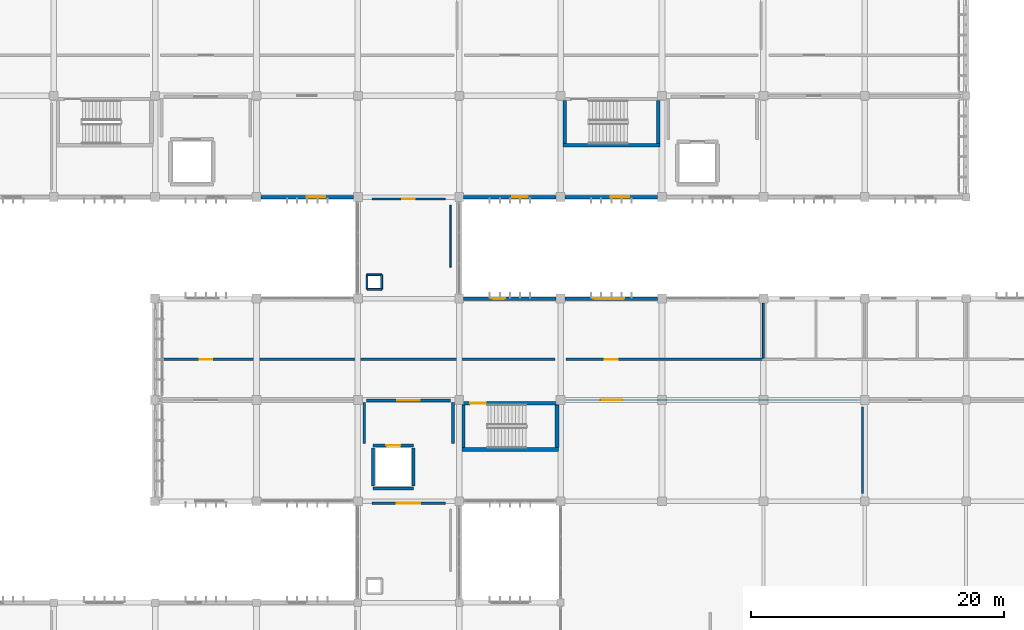
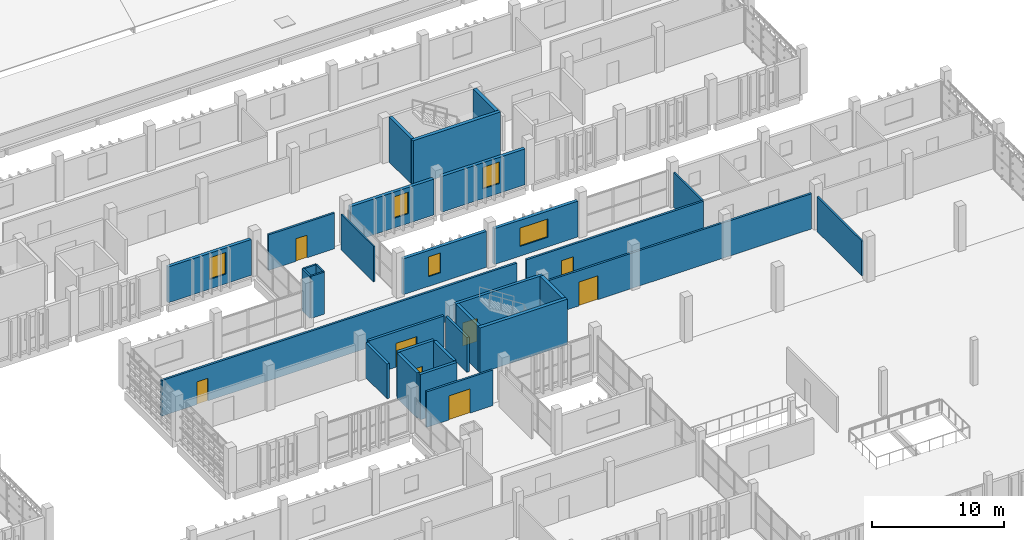
# One storey, part 119 of 137: 31 walls, 8 doors, 5 windows, 13 openings.
"""IFC4 building model written with IfcOpenShell, lengths in metres."""

from ifc_helpers import new_model, si_unit, direction, frame, frame_2d, origin, place, context, subcontext, project, spatial, rectangle, extrude, material, layer, layer_set, type_object, element, fill, save


model = new_model("IFC4")

# Units and contexts
model_context = context("Model", 3, precision=1e-05, world=origin(), true_north=direction((0.0, 1.0)))
body_context = subcontext(model_context, "Body", "Model", "MODEL_VIEW")
ifc_project = project(units=[si_unit("LENGTHUNIT", "METRE"), si_unit("AREAUNIT", "SQUARE_METRE"), si_unit("VOLUMEUNIT", "CUBIC_METRE"), si_unit("PLANEANGLEUNIT", "RADIAN"), si_unit("MASSUNIT", "GRAM", prefix="KILO")], contexts=[model_context])

# Site, building, storey
site_placement = place(None, origin())
site = spatial("IfcSite", under=ifc_project, at=site_placement, CompositionType="ELEMENT")
building_placement = place(site_placement, origin())
building = spatial("IfcBuilding", under=site, at=building_placement, Name="Jelvoka-Kovrelna Polytechnic", CompositionType="ELEMENT")
storey_placement = place(building_placement, frame((0.0, 0.0, 9.60009765625)))
storey = spatial("IfcBuildingStorey", under=building, at=storey_placement, Name="L03", CompositionType="ELEMENT", Elevation=9.60009765625)

# Wall, opening, door
ifc_material_1 = material(Name="Concrete C35/45", Category="concrete")
ifc_layer_1 = layer(ifc_material_1, 0.219970703125)
ifc_layer_set_1 = layer_set([ifc_layer_1], Name="Concrete C35/45")
wall_type_1 = type_object("IfcWallType", Name="Wall_Compartment_220", PredefinedType="PARTITIONING", material=ifc_layer_set_1)
wall_1_placement = place(storey_placement, frame((144.699951171875, 39.949951171875, 0.0), z_axis=(0.0, 0.0, 1.0), x_axis=(1.0, 0.0, 0.0)))
wall_1 = element("IfcWall", 1, at=wall_1_placement, inside=storey, type_object=wall_type_1, Name="L03 interior wall 0481", PredefinedType="PARTITIONING", context=body_context, shape_type="SweptSolid", body=[
    extrude(rectangle(XDim=6.60009765625, YDim=0.219970703125, at=frame_2d((3.300048828125, 0.0))), origin(), (0.0, 0.0, 1.0), 3.27490234375),
])
opening_1_placement = place(wall_1_placement, frame((2.39990234375, 0.0, 0.0)))
opening_1 = element("IfcOpeningElement", 2, at=opening_1_placement, cuts=wall_1, Name="Opening FD-L03-092", PredefinedType="OPENING", context=body_context, shape_type="SweptSolid", body=[
    extrude(rectangle(XDim=1.800048828125, YDim=2.199951171875, at=frame_2d((0.89990234375, 1.10009765625))), frame((0.0, 0.119873046875, 0.0), z_axis=(0.0, -1.0, 0.0), x_axis=(1.0, 0.0, 0.0)), (0.0, 0.0, 1.0), 0.239990234375),
])
ifc_material_2 = material(Name="Paired steel corridor fire door", Category="steel")
door_type_1 = type_object("IfcDoorType", Name="Door_Fire_FD03", OperationType="NOTDEFINED", PredefinedType="DOOR", material=ifc_material_2)
door_1_placement = place(opening_1_placement, origin())
door_1 = element("IfcDoor", 3, at=door_1_placement, inside=storey, type_object=door_type_1, Name="L03 interior door FD-L03-092", OperationType="DOUBLE_DOOR_SINGLE_SWING", OverallHeight=2.199951171875, OverallWidth=1.800048828125, PredefinedType="DOOR", context=body_context, shape_type="SweptSolid", body=[
    extrude(rectangle(XDim=1.800048828125, YDim=2.199951171875, at=frame_2d((0.89990234375, 1.10009765625))), frame((0.0, 0.02490234375, 0.0), z_axis=(0.0, -1.0, 0.0), x_axis=(1.0, 0.0, 0.0)), (0.0, 0.0, 1.0), 0.050048828125),
])
fill(opening_1, door_1)

# Walls
for number, where, z_axis, x_axis, name in (
    (4, (144.5, 36.550048828125, 0.0), (0.0, 0.0, 1.0), (0.0, 1.0, 0.0), "L03 interior wall 0482"),
    (5, (151.5, 36.550048828125, 0.0), (0.0, 0.0, 1.0), (0.0, 1.0, 0.0), "L03 interior wall 0483"),
):
    element("IfcWall", number, at=place(storey_placement, frame(where, z_axis=z_axis, x_axis=x_axis)), inside=storey, type_object=wall_type_1, Name=name, PredefinedType="PARTITIONING", context=body_context, shape_type="SweptSolid", body=[
        extrude(rectangle(XDim=3.25, YDim=0.219970703125, at=frame_2d((1.625, 0.0))), origin(), (0.0, 0.0, 1.0), 3.224853515625),
    ])

# Wall, opening, door
ifc_material_3 = material(Name="Concrete C40/50", Category="concrete")
ifc_layer_2 = layer(ifc_material_3, 0.25)
ifc_layer_set_2 = layer_set([ifc_layer_2], Name="Concrete C40/50")
wall_type_2 = type_object("IfcWallType", Name="Wall_Core_250", PredefinedType="SOLIDWALL", material=ifc_layer_set_2)
wall_2_placement = place(storey_placement, frame((152.199951171875, 39.739990234375, 0.0), z_axis=(0.0, 0.0, 1.0), x_axis=(1.0, 0.0, 0.0)))
wall_2 = element("IfcWall", 6, at=wall_2_placement, inside=storey, type_object=wall_type_2, Name="L03 interior wall 0127", PredefinedType="SOLIDWALL", context=body_context, shape_type="SweptSolid", body=[
    extrude(rectangle(XDim=7.650146484375, YDim=0.25, at=frame_2d((3.8251953125, 0.0))), origin(), (0.0, 0.0, 1.0), 4.199951171875),
])
opening_2_placement = place(wall_2_placement, frame((0.64990234375, 0.0, 0.0)))
opening_2 = element("IfcOpeningElement", 7, at=opening_2_placement, cuts=wall_2, Name="Opening SD-L03-032", PredefinedType="OPENING", context=body_context, shape_type="SweptSolid", body=[
    extrude(rectangle(XDim=1.25, YDim=2.14990234375, at=frame_2d((0.625, 1.074951171875))), frame((0.0, 0.135009765625, 0.0), z_axis=(0.0, -1.0, 0.0), x_axis=(1.0, 0.0, 0.0)), (0.0, 0.0, 1.0), 0.27001953125),
])
ifc_material_4 = material(Name="Powder-coated steel fire door", Category="steel")
door_type_2 = type_object("IfcDoorType", Name="Door_Fire_FD02", OperationType="NOTDEFINED", PredefinedType="DOOR", material=ifc_material_4)
door_2_placement = place(opening_2_placement, origin())
door_2 = element("IfcDoor", 8, at=door_2_placement, inside=storey, type_object=door_type_2, Name="L03 interior door SD-L03-032", OperationType="SINGLE_SWING_LEFT", OverallHeight=2.14990234375, OverallWidth=1.25, PredefinedType="DOOR", context=body_context, shape_type="SweptSolid", body=[
    extrude(rectangle(XDim=1.25, YDim=2.14990234375, at=frame_2d((0.625, 1.074951171875))), frame((0.0, 0.02490234375, 0.0), z_axis=(0.0, -1.0, 0.0), x_axis=(1.0, 0.0, 0.0)), (0.0, 0.0, 1.0), 0.050048828125),
])
fill(opening_2, door_2)

# Walls
for number, where, z_axis, x_axis, name in (
    (9, (152.324951171875, 36.25, 0.0), (0.0, 0.0, 1.0), (0.0, 1.0, 0.0), "L03 interior wall 0128"),
    (10, (160.324951171875, 60.25, 0.0), (0.0, 0.0, 1.0), (0.0, 1.0, 0.0), "L03 interior wall 0196"),
):
    element("IfcWall", number, at=place(storey_placement, frame(where, z_axis=z_axis, x_axis=x_axis)), inside=storey, type_object=wall_type_2, Name=name, PredefinedType="SOLIDWALL", context=body_context, shape_type="SweptSolid", body=[
        extrude(rectangle(XDim=3.360107421875, YDim=0.25, at=frame_2d((1.68017578125, 0.0))), origin(), (0.0, 0.0, 1.0), 4.199951171875),
    ])
wall_3_placement = place(storey_placement, frame((145.199951171875, 33.0, 0.0), z_axis=(0.0, 0.0, 1.0), x_axis=(1.0, 0.0, 0.0)))
element("IfcWall", 11, at=wall_3_placement, inside=storey, type_object=wall_type_2, Name="L03 interior wall 0477", PredefinedType="SOLIDWALL", context=body_context, shape_type="SweptSolid", body=[
    extrude(rectangle(XDim=3.199951171875, YDim=0.25, at=frame_2d((1.60009765625, 0.0))), origin(), (0.0, 0.0, 1.0), 4.199951171875),
])

# Wall, opening, door
wall_4_placement = place(storey_placement, frame((145.199951171875, 36.39990234375, 0.0), z_axis=(0.0, 0.0, 1.0), x_axis=(1.0, 0.0, 0.0)))
wall_4 = element("IfcWall", 12, at=wall_4_placement, inside=storey, type_object=wall_type_2, Name="L03 interior wall 0478", PredefinedType="SOLIDWALL", context=body_context, shape_type="SweptSolid", body=[
    extrude(rectangle(XDim=3.199951171875, YDim=0.25, at=frame_2d((1.60009765625, 0.0))), origin(), (0.0, 0.0, 1.0), 4.199951171875),
])
opening_3_placement = place(wall_4_placement, frame((1.050048828125, 0.0, 0.0)))
opening_3 = element("IfcOpeningElement", 13, at=opening_3_placement, cuts=wall_4, Name="Opening LD-L03-29", PredefinedType="OPENING", context=body_context, shape_type="SweptSolid", body=[
    extrude(rectangle(XDim=1.10009765625, YDim=2.14990234375, at=frame_2d((0.550048828125, 1.074951171875))), frame((0.0, 0.135009765625, 0.0), z_axis=(0.0, -1.0, 0.0), x_axis=(1.0, 0.0, 0.0)), (0.0, 0.0, 1.0), 0.27001953125),
])
ifc_material_5 = material(Name="Brushed stainless steel sliding landing door", Category="steel")
door_type_3 = type_object("IfcDoorType", Name="Door_Lift_LD01", OperationType="NOTDEFINED", PredefinedType="DOOR", material=ifc_material_5)
door_3_placement = place(opening_3_placement, origin())
door_3 = element("IfcDoor", 14, at=door_3_placement, inside=storey, type_object=door_type_3, Name="L03 lift landing sliding door LD-L03-29", OperationType="DOUBLE_DOOR_SLIDING", OverallHeight=2.14990234375, OverallWidth=1.10009765625, PredefinedType="DOOR", context=body_context, shape_type="SweptSolid", body=[
    extrude(rectangle(XDim=1.10009765625, YDim=2.14990234375, at=frame_2d((0.550048828125, 1.074951171875))), frame((0.0, 0.02490234375, 0.0), z_axis=(0.0, -1.0, 0.0), x_axis=(1.0, 0.0, 0.0)), (0.0, 0.0, 1.0), 0.050048828125),
])
fill(opening_3, door_3)

# Walls
for number, where, z_axis, x_axis, name in (
    (15, (145.199951171875, 33.199951171875, 0.0), (0.0, 0.0, 1.0), (0.0, 1.0, 0.0), "L03 interior wall 0479"),
    (16, (148.39990234375, 33.199951171875, 0.0), (0.0, 0.0, 1.0), (0.0, 1.0, 0.0), "L03 interior wall 0480"),
):
    element("IfcWall", number, at=place(storey_placement, frame(where, z_axis=z_axis, x_axis=x_axis)), inside=storey, type_object=wall_type_2, Name=name, PredefinedType="SOLIDWALL", context=body_context, shape_type="SweptSolid", body=[
        extrude(rectangle(XDim=3.0, YDim=0.25, at=frame_2d((1.5, 0.0))), origin(), (0.0, 0.0, 1.0), 4.199951171875),
    ])

# Wall, opening, door
ifc_material_6 = material(Name="Autoclaved aerated concrete blockwork", Category="masonry")
ifc_layer_3 = layer(ifc_material_6, 0.179931640625)
ifc_layer_set_3 = layer_set([ifc_layer_3], Name="Autoclaved aerated concrete blockwork")
wall_type_3 = type_object("IfcWallType", Name="Wall_Corridor_180", PredefinedType="PARTITIONING", material=ifc_layer_set_3)
wall_5_placement = place(storey_placement, frame((160.429931640625, 40.0, 0.0), z_axis=(0.0, 0.0, 1.0), x_axis=(1.0, 0.0, 0.0)))
wall_5 = element("IfcWall", 17, at=wall_5_placement, inside=storey, type_object=wall_type_3, Name="L03 interior wall 1057", PredefinedType="PARTITIONING", context=body_context, shape_type="SweptSolid", body=[
    extrude(rectangle(XDim=23.14013671875, YDim=0.179931640625, at=frame_2d((11.570068359375, 0.0))), origin(), (0.0, 0.0, 1.0), 3.27490234375),
])
opening_4_placement = place(wall_5_placement, frame((2.739990234375, 0.0, 0.0)))
opening_4 = element("IfcOpeningElement", 18, at=opening_4_placement, cuts=wall_5, Name="Opening D-L03-296", PredefinedType="OPENING", context=body_context, shape_type="SweptSolid", body=[
    extrude(rectangle(XDim=1.659912109375, YDim=2.219970703125, at=frame_2d((0.830078125, 1.10986328125))), frame((0.0, 0.099853515625, 0.0), z_axis=(0.0, -1.0, 0.0), x_axis=(1.0, 0.0, 0.0)), (0.0, 0.0, 1.0), 0.199951171875),
])
ifc_material_7 = material(Name="Paired acoustic fire-resisting lecture door", Category="wood")
door_type_4 = type_object("IfcDoorType", Name="Door_Fire_FD30_08", OperationType="NOTDEFINED", PredefinedType="DOOR", material=ifc_material_7)
door_4_placement = place(opening_4_placement, origin())
door_4 = element("IfcDoor", 19, at=door_4_placement, inside=storey, type_object=door_type_4, Name="L03 interior door D-L03-296", OperationType="DOUBLE_DOOR_SINGLE_SWING", OverallHeight=2.219970703125, OverallWidth=1.659912109375, PredefinedType="DOOR", context=body_context, shape_type="SweptSolid", body=[
    extrude(rectangle(XDim=1.659912109375, YDim=2.219970703125, at=frame_2d((0.830078125, 1.10986328125))), frame((0.0, 0.02490234375, 0.0), z_axis=(0.0, -1.0, 0.0), x_axis=(1.0, 0.0, 0.0)), (0.0, 0.0, 1.0), 0.050048828125),
])
fill(opening_4, door_4)

wall_6_placement = place(storey_placement, frame((128.429931640625, 43.199951171875, 0.0), z_axis=(0.0, 0.0, 1.0), x_axis=(1.0, 0.0, 0.0)))
wall_6 = element("IfcWall", 20, at=wall_6_placement, inside=storey, type_object=wall_type_3, Name="L03 interior wall 1060", PredefinedType="PARTITIONING", context=body_context, shape_type="SweptSolid", body=[
    extrude(rectangle(XDim=31.14013671875, YDim=0.179931640625, at=frame_2d((15.570068359375, 0.0))), origin(), (0.0, 0.0, 1.0), 3.2998046875),
])
opening_5_placement = place(wall_6_placement, frame((3.080078125, 0.0, 0.0)))
opening_5 = element("IfcOpeningElement", 21, at=opening_5_placement, cuts=wall_6, Name="Opening D-L03-298", PredefinedType="OPENING", context=body_context, shape_type="SweptSolid", body=[
    extrude(rectangle(XDim=0.97998046875, YDim=2.10009765625, at=frame_2d((0.489990234375, 1.050048828125))), frame((0.0, 0.099853515625, 0.0), z_axis=(0.0, -1.0, 0.0), x_axis=(1.0, 0.0, 0.0)), (0.0, 0.0, 1.0), 0.199951171875),
])
ifc_material_8 = material(Name="Hardwood solid-core door", Category="wood")
door_type_5 = type_object("IfcDoorType", Name="Door_Int_D03", OperationType="NOTDEFINED", PredefinedType="DOOR", material=ifc_material_8)
door_5_placement = place(opening_5_placement, origin())
door_5 = element("IfcDoor", 22, at=door_5_placement, inside=storey, type_object=door_type_5, Name="L03 interior door D-L03-298", OperationType="SINGLE_SWING_LEFT", OverallHeight=2.10009765625, OverallWidth=0.97998046875, PredefinedType="DOOR", context=body_context, shape_type="SweptSolid", body=[
    extrude(rectangle(XDim=0.97998046875, YDim=2.10009765625, at=frame_2d((0.489990234375, 1.050048828125))), frame((0.0, 0.02490234375, 0.0), z_axis=(0.0, -1.0, 0.0), x_axis=(1.0, 0.0, 0.0)), (0.0, 0.0, 1.0), 0.050048828125),
])
fill(opening_5, door_5)

wall_7_placement = place(storey_placement, frame((160.429931640625, 43.199951171875, 0.0), z_axis=(0.0, 0.0, 1.0), x_axis=(1.0, 0.0, 0.0)))
wall_7 = element("IfcWall", 23, at=wall_7_placement, inside=storey, type_object=wall_type_3, Name="L03 interior wall 1061", PredefinedType="PARTITIONING", context=body_context, shape_type="SweptSolid", body=[
    extrude(rectangle(XDim=15.4951171875, YDim=0.179931640625, at=frame_2d((7.74755859375, 0.0))), origin(), (0.0, 0.0, 1.0), 3.2998046875),
])
opening_6_placement = place(wall_7_placement, frame((3.044921875, 0.0, 0.0)))
opening_6 = element("IfcOpeningElement", 24, at=opening_6_placement, cuts=wall_7, Name="Opening D-L03-299", PredefinedType="OPENING", context=body_context, shape_type="SweptSolid", body=[
    extrude(rectangle(XDim=1.050048828125, YDim=2.14990234375, at=frame_2d((0.52490234375, 1.074951171875))), frame((0.0, 0.099853515625, 0.0), z_axis=(0.0, -1.0, 0.0), x_axis=(1.0, 0.0, 0.0)), (0.0, 0.0, 1.0), 0.199951171875),
])
ifc_material_9 = material(Name="Hardwood fire-resisting laboratory door", Category="wood")
door_type_6 = type_object("IfcDoorType", Name="Door_Fire_FD30_02", OperationType="NOTDEFINED", PredefinedType="DOOR", material=ifc_material_9)
door_6_placement = place(opening_6_placement, origin())
door_6 = element("IfcDoor", 25, at=door_6_placement, inside=storey, type_object=door_type_6, Name="L03 interior door D-L03-299", OperationType="SINGLE_SWING_RIGHT", OverallHeight=2.14990234375, OverallWidth=1.050048828125, PredefinedType="DOOR", context=body_context, shape_type="SweptSolid", body=[
    extrude(rectangle(XDim=1.050048828125, YDim=2.14990234375, at=frame_2d((0.52490234375, 1.074951171875))), frame((0.0, 0.02490234375, 0.0), z_axis=(0.0, -1.0, 0.0), x_axis=(1.0, 0.0, 0.0)), (0.0, 0.0, 1.0), 0.050048828125),
])
fill(opening_6, door_6)

wall_8_placement = place(storey_placement, frame((145.10009765625, 31.85009765625, 0.0), z_axis=(0.0, 0.0, 1.0), x_axis=(1.0, 0.0, 0.0)))
wall_8 = element("IfcWall", 26, at=wall_8_placement, inside=storey, type_object=wall_type_3, Name="L03 interior wall 1079", PredefinedType="PARTITIONING", context=body_context, shape_type="SweptSolid", body=[
    extrude(rectangle(XDim=5.7998046875, YDim=0.179931640625, at=frame_2d((2.89990234375, 0.0))), origin(), (0.0, 0.0, 1.0), 3.2998046875),
])
opening_7_placement = place(wall_8_placement, frame((1.97998046875, 0.0, 0.0)))
opening_7 = element("IfcOpeningElement", 27, at=opening_7_placement, cuts=wall_8, Name="Opening D-L03-312", PredefinedType="OPENING", context=body_context, shape_type="SweptSolid", body=[
    extrude(rectangle(XDim=1.840087890625, YDim=2.25, at=frame_2d((0.919921875, 1.125))), frame((0.0, 0.099853515625, 0.0), z_axis=(0.0, -1.0, 0.0), x_axis=(1.0, 0.0, 0.0)), (0.0, 0.0, 1.0), 0.199951171875),
])
ifc_material_10 = material(Name="Paired exhibition gallery double door", Category="wood")
door_type_7 = type_object("IfcDoorType", Name="Door_Int_D22", OperationType="NOTDEFINED", PredefinedType="DOOR", material=ifc_material_10)
door_7_placement = place(opening_7_placement, origin())
door_7 = element("IfcDoor", 28, at=door_7_placement, inside=storey, type_object=door_type_7, Name="L03 interior door D-L03-312", OperationType="DOUBLE_DOOR_SINGLE_SWING", OverallHeight=2.25, OverallWidth=1.840087890625, PredefinedType="DOOR", context=body_context, shape_type="SweptSolid", body=[
    extrude(rectangle(XDim=1.840087890625, YDim=2.25, at=frame_2d((0.919921875, 1.125))), frame((0.0, 0.02490234375, 0.0), z_axis=(0.0, -1.0, 0.0), x_axis=(1.0, 0.0, 0.0)), (0.0, 0.0, 1.0), 0.050048828125),
])
fill(opening_7, door_7)

wall_9_placement = place(storey_placement, frame((145.10009765625, 55.85009765625, 0.0), z_axis=(0.0, 0.0, 1.0), x_axis=(1.0, 0.0, 0.0)))
wall_9 = element("IfcWall", 29, at=wall_9_placement, inside=storey, type_object=wall_type_3, Name="L03 interior wall 1083", PredefinedType="PARTITIONING", context=body_context, shape_type="SweptSolid", body=[
    extrude(rectangle(XDim=5.7998046875, YDim=0.179931640625, at=frame_2d((2.89990234375, 0.0))), origin(), (0.0, 0.0, 1.0), 3.2998046875),
])
opening_8_placement = place(wall_9_placement, frame((2.409912109375, 0.0, 0.0)))
opening_8 = element("IfcOpeningElement", 30, at=opening_8_placement, cuts=wall_9, Name="Opening D-L03-314", PredefinedType="OPENING", context=body_context, shape_type="SweptSolid", body=[
    extrude(rectangle(XDim=0.97998046875, YDim=2.10009765625, at=frame_2d((0.489990234375, 1.050048828125))), frame((0.0, 0.099853515625, 0.0), z_axis=(0.0, -1.0, 0.0), x_axis=(1.0, 0.0, 0.0)), (0.0, 0.0, 1.0), 0.199951171875),
])
door_8_placement = place(opening_8_placement, origin())
door_8 = element("IfcDoor", 31, at=door_8_placement, inside=storey, type_object=door_type_5, Name="L03 interior door D-L03-314", OperationType="SINGLE_SWING_LEFT", OverallHeight=2.10009765625, OverallWidth=0.97998046875, PredefinedType="DOOR", context=body_context, shape_type="SweptSolid", body=[
    extrude(rectangle(XDim=0.97998046875, YDim=2.10009765625, at=frame_2d((0.489990234375, 1.050048828125))), frame((0.0, 0.02490234375, 0.0), z_axis=(0.0, -1.0, 0.0), x_axis=(1.0, 0.0, 0.0)), (0.0, 0.0, 1.0), 0.050048828125),
])
fill(opening_8, door_8)

# Wall, opening, window
ifc_material_11 = material(Name="Precast concrete C40/50", Category="concrete")
ifc_layer_4 = layer(ifc_material_11, 0.280029296875)
ifc_layer_set_4 = layer_set([ifc_layer_4], Name="Precast concrete C40/50")
wall_type_4 = type_object("IfcWallType", Name="Wall_Ext_White_280", PredefinedType="STANDARD", material=ifc_layer_set_4)
wall_10_placement = place(storey_placement, frame((152.346923828125, 48.0, 0.0), z_axis=(0.0, 0.0, 1.0), x_axis=(1.0, 0.0, 0.0)))
wall_10 = element("IfcWall", 32, at=wall_10_placement, inside=storey, type_object=wall_type_4, Name="L03 exterior wall 0478", PredefinedType="STANDARD", context=body_context, shape_type="SweptSolid", body=[
    extrude(rectangle(XDim=7.30615234375, YDim=0.280029296875, at=frame_2d((3.653076171875, 0.0))), origin(), (0.0, 0.0, 1.0), 3.324951171875),
])
opening_9_placement = place(wall_10_placement, frame((2.23291015625, 0.0, 0.89990234375)))
opening_9 = element("IfcOpeningElement", 33, at=opening_9_placement, cuts=wall_10, Name="Opening W-L03-189", PredefinedType="OPENING", context=body_context, shape_type="SweptSolid", body=[
    extrude(rectangle(XDim=1.050048828125, YDim=1.85009765625, at=frame_2d((0.52490234375, 0.925048828125))), frame((0.0, 0.150146484375, 0.0), z_axis=(0.0, -1.0, 0.0), x_axis=(1.0, 0.0, 0.0)), (0.0, 0.0, 1.0), 0.300048828125),
])
ifc_material_12 = material(Name="Thermally broken anodised aluminium and low-e glazing", Category="aluminium")
window_type_1 = type_object("IfcWindowType", Name="Win_Casement_W41", PartitioningType="SINGLE_PANEL", PredefinedType="WINDOW", material=ifc_material_12)
window_1_placement = place(opening_9_placement, origin())
window_1 = element("IfcWindow", 34, at=window_1_placement, inside=storey, type_object=window_type_1, Name="L03 aluminium casement window W-L03-189", OverallHeight=1.85009765625, OverallWidth=1.050048828125, PartitioningType="SINGLE_PANEL", PredefinedType="WINDOW", context=body_context, shape_type="SweptSolid", body=[
    extrude(rectangle(XDim=1.050048828125, YDim=1.85009765625, at=frame_2d((0.52490234375, 0.925048828125))), frame((0.0, 0.030029296875, 0.0), z_axis=(0.0, -1.0, 0.0), x_axis=(1.0, 0.0, 0.0)), (0.0, 0.0, 1.0), 0.06005859375),
])
fill(opening_9, window_1)

wall_11_placement = place(storey_placement, frame((160.346923828125, 48.0, 0.0), z_axis=(0.0, 0.0, 1.0), x_axis=(1.0, 0.0, 0.0)))
wall_11 = element("IfcWall", 35, at=wall_11_placement, inside=storey, type_object=wall_type_4, Name="L03 exterior wall 0479", PredefinedType="STANDARD", context=body_context, shape_type="SweptSolid", body=[
    extrude(rectangle(XDim=7.30615234375, YDim=0.280029296875, at=frame_2d((3.653076171875, 0.0))), origin(), (0.0, 0.0, 1.0), 3.324951171875),
])
opening_10_placement = place(wall_11_placement, frame((2.23291015625, 0.0, 0.89990234375)))
opening_10 = element("IfcOpeningElement", 36, at=opening_10_placement, cuts=wall_11, Name="Opening W-L03-190", PredefinedType="OPENING", context=body_context, shape_type="SweptSolid", body=[
    extrude(rectangle(XDim=2.449951171875, YDim=1.699951171875, at=frame_2d((1.22509765625, 0.85009765625))), frame((0.0, 0.150146484375, 0.0), z_axis=(0.0, -1.0, 0.0), x_axis=(1.0, 0.0, 0.0)), (0.0, 0.0, 1.0), 0.300048828125),
])
ifc_material_13 = material(Name="Thermally broken anodised aluminium and low-e glazing", Category="aluminium")
window_type_2 = type_object("IfcWindowType", Name="Win_Casement_W38", PartitioningType="DOUBLE_PANEL_VERTICAL", PredefinedType="WINDOW", material=ifc_material_13)
window_2_placement = place(opening_10_placement, origin())
window_2 = element("IfcWindow", 37, at=window_2_placement, inside=storey, type_object=window_type_2, Name="L03 aluminium casement window W-L03-190", OverallHeight=1.699951171875, OverallWidth=2.449951171875, PartitioningType="DOUBLE_PANEL_VERTICAL", PredefinedType="WINDOW", context=body_context, shape_type="SweptSolid", body=[
    extrude(rectangle(XDim=2.449951171875, YDim=1.699951171875, at=frame_2d((1.22509765625, 0.85009765625))), frame((0.0, 0.030029296875, 0.0), z_axis=(0.0, -1.0, 0.0), x_axis=(1.0, 0.0, 0.0)), (0.0, 0.0, 1.0), 0.06005859375),
])
fill(opening_10, window_2)

wall_12_placement = place(storey_placement, frame((143.653076171875, 56.0, 0.0), z_axis=(0.0, 0.0, 1.0), x_axis=(-1.0, 0.0, 0.0)))
wall_12 = element("IfcWall", 38, at=wall_12_placement, inside=storey, type_object=wall_type_4, Name="L03 exterior wall 0658", PredefinedType="STANDARD", context=body_context, shape_type="SweptSolid", body=[
    extrude(rectangle(XDim=7.30615234375, YDim=0.280029296875, at=frame_2d((3.653076171875, 0.0))), origin(), (0.0, 0.0, 1.0), 3.324951171875),
])
opening_11_placement = place(wall_12_placement, frame((2.23291015625, 0.0, 0.89990234375)))
opening_11 = element("IfcOpeningElement", 39, at=opening_11_placement, cuts=wall_12, Name="Opening W-L03-328", PredefinedType="OPENING", context=body_context, shape_type="SweptSolid", body=[
    extrude(rectangle(XDim=1.449951171875, YDim=2.0, at=frame_2d((0.72509765625, 1.0))), frame((0.0, 0.150146484375, 0.0), z_axis=(0.0, -1.0, 0.0), x_axis=(1.0, 0.0, 0.0)), (0.0, 0.0, 1.0), 0.300048828125),
])
ifc_material_14 = material(Name="Thermally broken anodised aluminium and low-e glazing", Category="aluminium")
window_type_3 = type_object("IfcWindowType", Name="Win_Casement_W53", PartitioningType="SINGLE_PANEL", PredefinedType="WINDOW", material=ifc_material_14)
window_3_placement = place(opening_11_placement, origin())
window_3 = element("IfcWindow", 40, at=window_3_placement, inside=storey, type_object=window_type_3, Name="L03 aluminium casement window W-L03-328", OverallHeight=2.0, OverallWidth=1.449951171875, PartitioningType="SINGLE_PANEL", PredefinedType="WINDOW", context=body_context, shape_type="SweptSolid", body=[
    extrude(rectangle(XDim=1.449951171875, YDim=2.0, at=frame_2d((0.72509765625, 1.0))), frame((0.0, 0.030029296875, 0.0), z_axis=(0.0, -1.0, 0.0), x_axis=(1.0, 0.0, 0.0)), (0.0, 0.0, 1.0), 0.06005859375),
])
fill(opening_11, window_3)

wall_13_placement = place(storey_placement, frame((159.653076171875, 56.0, 0.0), z_axis=(0.0, 0.0, 1.0), x_axis=(-1.0, 0.0, 0.0)))
wall_13 = element("IfcWall", 41, at=wall_13_placement, inside=storey, type_object=wall_type_4, Name="L03 exterior wall 0661", PredefinedType="STANDARD", context=body_context, shape_type="SweptSolid", body=[
    extrude(rectangle(XDim=7.30615234375, YDim=0.280029296875, at=frame_2d((3.653076171875, 0.0))), origin(), (0.0, 0.0, 1.0), 3.324951171875),
])
opening_12_placement = place(wall_13_placement, frame((2.23291015625, 0.0, 0.89990234375)))
opening_12 = element("IfcOpeningElement", 42, at=opening_12_placement, cuts=wall_13, Name="Opening W-L03-331", PredefinedType="OPENING", context=body_context, shape_type="SweptSolid", body=[
    extrude(rectangle(XDim=1.25, YDim=2.0, at=frame_2d((0.625, 1.0))), frame((0.0, 0.150146484375, 0.0), z_axis=(0.0, -1.0, 0.0), x_axis=(1.0, 0.0, 0.0)), (0.0, 0.0, 1.0), 0.300048828125),
])
ifc_material_15 = material(Name="Thermally broken anodised aluminium and low-e glazing", Category="aluminium")
window_type_4 = type_object("IfcWindowType", Name="Win_Casement_W52", PartitioningType="SINGLE_PANEL", PredefinedType="WINDOW", material=ifc_material_15)
window_4_placement = place(opening_12_placement, origin())
window_4 = element("IfcWindow", 43, at=window_4_placement, inside=storey, type_object=window_type_4, Name="L03 aluminium casement window W-L03-331", OverallHeight=2.0, OverallWidth=1.25, PartitioningType="SINGLE_PANEL", PredefinedType="WINDOW", context=body_context, shape_type="SweptSolid", body=[
    extrude(rectangle(XDim=1.25, YDim=2.0, at=frame_2d((0.625, 1.0))), frame((0.0, 0.030029296875, 0.0), z_axis=(0.0, -1.0, 0.0), x_axis=(1.0, 0.0, 0.0)), (0.0, 0.0, 1.0), 0.06005859375),
])
fill(opening_12, window_4)

wall_14_placement = place(storey_placement, frame((167.653076171875, 56.0, 0.0), z_axis=(0.0, 0.0, 1.0), x_axis=(-1.0, 0.0, 0.0)))
wall_14 = element("IfcWall", 44, at=wall_14_placement, inside=storey, type_object=wall_type_4, Name="L03 exterior wall 0663", PredefinedType="STANDARD", context=body_context, shape_type="SweptSolid", body=[
    extrude(rectangle(XDim=7.30615234375, YDim=0.280029296875, at=frame_2d((3.653076171875, 0.0))), origin(), (0.0, 0.0, 1.0), 3.324951171875),
])
opening_13_placement = place(wall_14_placement, frame((2.23291015625, 0.0, 0.89990234375)))
opening_13 = element("IfcOpeningElement", 45, at=opening_13_placement, cuts=wall_14, Name="Opening W-L03-333", PredefinedType="OPENING", context=body_context, shape_type="SweptSolid", body=[
    extrude(rectangle(XDim=1.449951171875, YDim=2.0, at=frame_2d((0.72509765625, 1.0))), frame((0.0, 0.150146484375, 0.0), z_axis=(0.0, -1.0, 0.0), x_axis=(1.0, 0.0, 0.0)), (0.0, 0.0, 1.0), 0.300048828125),
])
window_5_placement = place(opening_13_placement, origin())
window_5 = element("IfcWindow", 46, at=window_5_placement, inside=storey, type_object=window_type_3, Name="L03 aluminium casement window W-L03-333", OverallHeight=2.0, OverallWidth=1.449951171875, PartitioningType="SINGLE_PANEL", PredefinedType="WINDOW", context=body_context, shape_type="SweptSolid", body=[
    extrude(rectangle(XDim=1.449951171875, YDim=2.0, at=frame_2d((0.72509765625, 1.0))), frame((0.0, 0.030029296875, 0.0), z_axis=(0.0, -1.0, 0.0), x_axis=(1.0, 0.0, 0.0)), (0.0, 0.0, 1.0), 0.06005859375),
])
fill(opening_13, window_5)

# Walls
ifc_material_16 = material(Name="Acoustic gypsum stud partition")
ifc_layer_5 = layer(ifc_material_16, 0.125)
ifc_layer_set_5 = layer_set([ifc_layer_5], Name="Acoustic gypsum stud partition")
wall_type_5 = type_object("IfcWallType", Name="Wall_Partition_125", PredefinedType="PARTITIONING", material=ifc_layer_set_5)
wall_15_placement = place(storey_placement, frame((151.300048828125, 50.469970703125, 0.0), z_axis=(0.0, 0.0, 1.0), x_axis=(0.0, 1.0, 0.0)))
element("IfcWall", 47, at=wall_15_placement, inside=storey, type_object=wall_type_5, Name="L03 interior wall 1084", PredefinedType="PARTITIONING", context=body_context, shape_type="SweptSolid", body=[
    extrude(rectangle(XDim=4.909912109375, YDim=0.125, at=frame_2d((2.455078125, 0.0))), origin(), (0.0, 0.0, 1.0), 3.2998046875),
])
ifc_material_17 = material(Name="Autoclaved aerated concrete blockwork", Category="masonry")
ifc_layer_6 = layer(ifc_material_17, 0.14990234375)
ifc_layer_set_6 = layer_set([ifc_layer_6], Name="Autoclaved aerated concrete blockwork")
wall_type_6 = type_object("IfcWallType", Name="Wall_Partition_150", PredefinedType="PARTITIONING", material=ifc_layer_set_6)
for number, where, z_axis, x_axis, name in (
    (48, (144.719970703125, 48.719970703125, 0.0), (0.0, 0.0, 1.0), (1.0, 0.0, 0.0), "L03 interior wall 0733"),
    (49, (145.8798828125, 48.719970703125, 0.0), (0.0, 0.0, 1.0), (0.0, 1.0, 0.0), "L03 interior wall 0734"),
    (50, (145.8798828125, 49.8798828125, 0.0), (0.0, 0.0, 1.0), (-1.0, 0.0, 0.0), "L03 interior wall 0735"),
    (51, (144.719970703125, 49.8798828125, 0.0), (0.0, 0.0, 1.0), (0.0, -1.0, 0.0), "L03 interior wall 0736"),
):
    element("IfcWall", number, at=place(storey_placement, frame(where, z_axis=z_axis, x_axis=x_axis)), inside=storey, type_object=wall_type_6, Name=name, PredefinedType="PARTITIONING", context=body_context, shape_type="SweptSolid", body=[
        extrude(rectangle(XDim=1.159912109375, YDim=0.14990234375, at=frame_2d((0.580078125, 0.0))), origin(), (0.0, 0.0, 1.0), 3.89990234375),
    ])
wall_16_placement = place(storey_placement, frame((176.0, 43.27490234375, 0.0), z_axis=(0.0, 0.0, 1.0), x_axis=(0.0, 1.0, 0.0)))
element("IfcWall", 52, at=wall_16_placement, inside=storey, type_object=wall_type_6, Name="L03 interior wall 1030", PredefinedType="PARTITIONING", context=body_context, shape_type="SweptSolid", body=[
    extrude(rectangle(XDim=4.375, YDim=0.14990234375, at=frame_2d((2.1875, 0.0))), origin(), (0.0, 0.0, 1.0), 3.224853515625),
])
wall_17_placement = place(storey_placement, frame((183.820068359375, 32.6201171875, 0.0), z_axis=(0.0, 0.0, 1.0), x_axis=(0.0, 1.0, 0.0)))
element("IfcWall", 53, at=wall_17_placement, inside=storey, type_object=wall_type_6, Name="L03 interior wall 1058", PredefinedType="PARTITIONING", context=body_context, shape_type="SweptSolid", body=[
    extrude(rectangle(XDim=6.809814453125, YDim=0.14990234375, at=frame_2d((3.40478515625, 0.0))), origin(), (0.0, 0.0, 1.0), 3.224853515625),
])
ifc_material_18 = material(Name="Concrete C40/50", Category="concrete")
ifc_layer_7 = layer(ifc_material_18, 0.300048828125)
ifc_layer_set_7 = layer_set([ifc_layer_7], Name="Concrete C40/50")
wall_type_7 = type_object("IfcWallType", Name="Wall_Shear_300", PredefinedType="SHEAR", material=ifc_layer_set_7)
wall_18_placement = place(storey_placement, frame((152.199951171875, 36.090087890625, 0.0), z_axis=(0.0, 0.0, 1.0), x_axis=(1.0, 0.0, 0.0)))
element("IfcWall", 54, at=wall_18_placement, inside=storey, type_object=wall_type_7, Name="L03 interior wall 0125", PredefinedType="SHEAR", context=body_context, shape_type="SweptSolid", body=[
    extrude(rectangle(XDim=7.650146484375, YDim=0.300048828125, at=frame_2d((3.8251953125, 0.0))), origin(), (0.0, 0.0, 1.0), 4.199951171875),
])
wall_19_placement = place(storey_placement, frame((159.7099609375, 36.25, 0.0), z_axis=(0.0, 0.0, 1.0), x_axis=(0.0, 1.0, 0.0)))
element("IfcWall", 55, at=wall_19_placement, inside=storey, type_object=wall_type_7, Name="L03 interior wall 0126", PredefinedType="SHEAR", context=body_context, shape_type="SweptSolid", body=[
    extrude(rectangle(XDim=3.360107421875, YDim=0.300048828125, at=frame_2d((1.68017578125, 0.0))), origin(), (0.0, 0.0, 1.0), 4.199951171875),
])
wall_20_placement = place(storey_placement, frame((160.199951171875, 60.090087890625, 0.0), z_axis=(0.0, 0.0, 1.0), x_axis=(1.0, 0.0, 0.0)))
element("IfcWall", 56, at=wall_20_placement, inside=storey, type_object=wall_type_7, Name="L03 interior wall 0193", PredefinedType="SHEAR", context=body_context, shape_type="SweptSolid", body=[
    extrude(rectangle(XDim=7.650146484375, YDim=0.300048828125, at=frame_2d((3.8251953125, 0.0))), origin(), (0.0, 0.0, 1.0), 4.199951171875),
])
wall_21_placement = place(storey_placement, frame((167.7099609375, 60.25, 0.0), z_axis=(0.0, 0.0, 1.0), x_axis=(0.0, 1.0, 0.0)))
element("IfcWall", 57, at=wall_21_placement, inside=storey, type_object=wall_type_7, Name="L03 interior wall 0194", PredefinedType="SHEAR", context=body_context, shape_type="SweptSolid", body=[
    extrude(rectangle(XDim=3.360107421875, YDim=0.300048828125, at=frame_2d((1.68017578125, 0.0))), origin(), (0.0, 0.0, 1.0), 4.199951171875),
])

save(model, "model.ifc")
